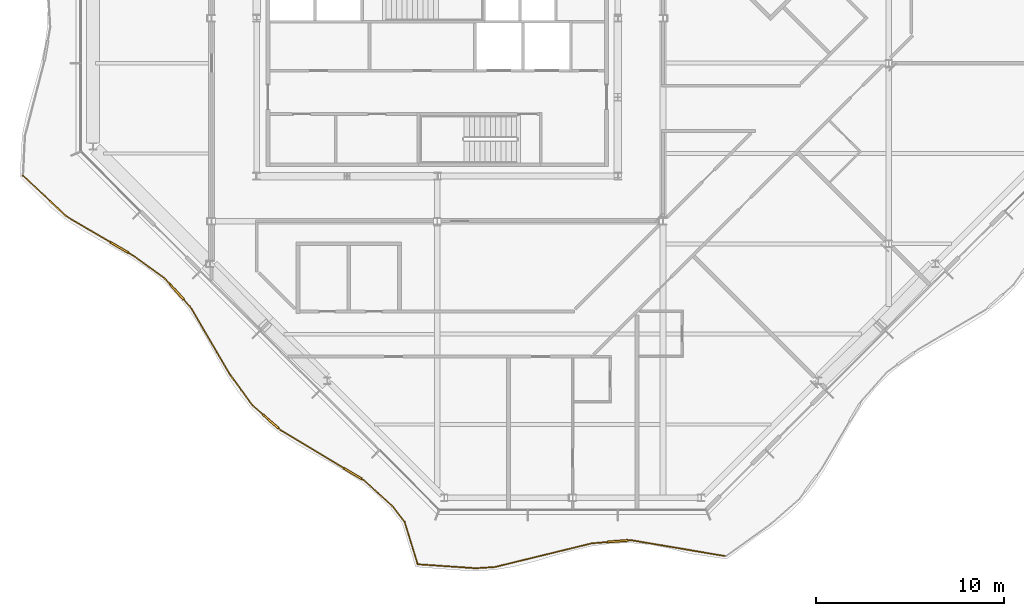
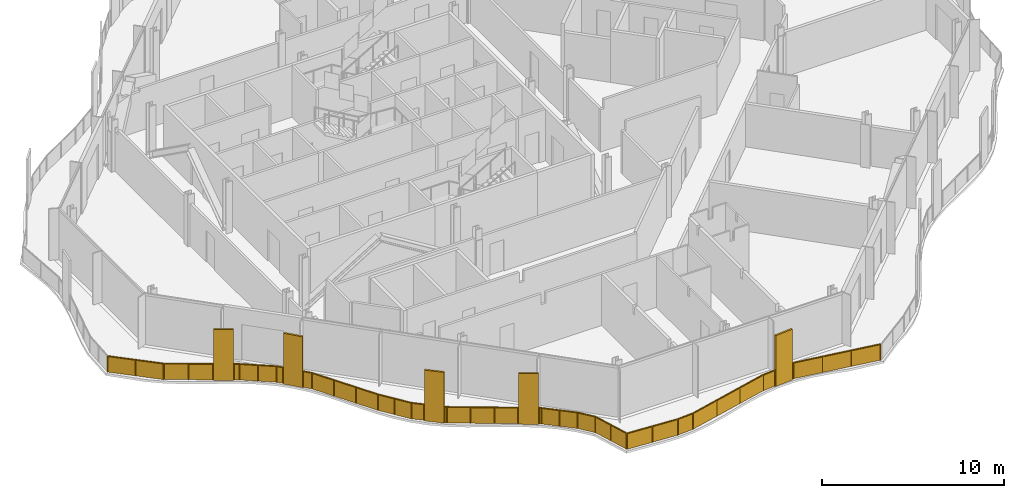
# One storey, part 12 of 16: 2 railings.
"""IFC4 building model written with IfcOpenShell, lengths in metres."""

from ifc_helpers import new_model, si_unit, direction, frame, origin, origin_2d, place, context, subcontext, project, spatial, polyline, rectangle, outline, extrude, material, type_object, element, save


model = new_model("IFC4")

# Units and contexts
model_context = context("Model", 3, precision=1e-05, world=origin(), true_north=direction((0.0, 1.0)))
body_context = subcontext(model_context, "Body", "Model", "MODEL_VIEW")
ifc_project = project(units=[si_unit("LENGTHUNIT", "METRE"), si_unit("AREAUNIT", "SQUARE_METRE"), si_unit("VOLUMEUNIT", "CUBIC_METRE"), si_unit("PLANEANGLEUNIT", "RADIAN"), si_unit("MASSUNIT", "GRAM", prefix="KILO")], contexts=[model_context])

# Site, building, storey
site_placement = place(None, origin())
site = spatial("IfcSite", under=ifc_project, at=site_placement, CompositionType="ELEMENT")
building_placement = place(site_placement, origin())
building = spatial("IfcBuilding", under=site, at=building_placement, Name="Cairn Pilgrim Tower", CompositionType="ELEMENT")
storey_placement = place(building_placement, frame((0.0, 0.0, 285.0)))
storey = spatial("IfcBuildingStorey", under=building, at=storey_placement, Name="L73", CompositionType="ELEMENT", Elevation=285.0)

# Railings
ifc_material = material(Name="Bronze anodised aluminium rail, posts and fin screens with laminated glass infill", Category="aluminium")
railing_type = type_object("IfcRailingType", Name="BALCONY GUARD WITH FIN SCREENS", PredefinedType="GUARDRAIL", material=ifc_material)
railing_1_placement = place(storey_placement, frame((6.1611328125, -26.6376953125, 0.0)))
element("IfcRailing", 1, at=railing_1_placement, inside=storey, type_object=railing_type, Name="Balcony guard BGF-1 with fin screens", PredefinedType="GUARDRAIL", context=body_context, shape_type="SweptSolid", body=[
    extrude(rectangle(XDim=0.050048828125, YDim=0.050048828125, at=origin_2d()), frame((0.0, 0.0, 1.0751953125), z_axis=(0.997671299562, -0.06820541056, 0.0), x_axis=(0.06820541056, 0.997671299562, 0.0)), (0.0, 0.0, 1.0), 3.103515625),
    extrude(rectangle(XDim=0.050048828125, YDim=0.050048828125, at=origin_2d()), frame((3.09619140625, -0.211669921875, 1.0751953125), z_axis=(0.997890012995, 0.0649270511, 0.0), x_axis=(-0.0649270511, 0.997890012995, 0.0)), (0.0, 0.0, 1.0), 1.0078125),
    extrude(rectangle(XDim=0.050048828125, YDim=0.050048828125, at=origin_2d()), frame((4.101806640625, -0.146240234375, 1.0751953125), z_axis=(0.971335139543, 0.237714212213, 0.0), x_axis=(-0.237714212213, 0.971335139543, 0.0)), (0.0, 0.0, 1.0), 5.293212890625),
    extrude(rectangle(XDim=1.10009765625, YDim=0.110107421875, at=origin_2d()), frame((10.63330078125, 1.2265625, 0.0), z_axis=(0.0, 0.0, 1.0), x_axis=(0.996628054453, 0.082051941333, 0.0)), (0.0, 0.0, 1.0), 3.39990234375),
    extrude(rectangle(XDim=0.050048828125, YDim=0.050048828125, at=origin_2d()), frame((9.243408203125, 1.112060546875, 1.0751953125), z_axis=(0.996628054453, 0.082051941333, 0.0), x_axis=(-0.082051941333, 0.996628054453, 0.0)), (0.0, 0.0, 1.0), 0.8447265625),
    extrude(rectangle(XDim=0.050048828125, YDim=0.050048828125, at=origin_2d()), frame((11.181640625, 1.271728515625, 1.0751953125), z_axis=(0.996628054453, 0.082051941333, 0.0), x_axis=(-0.082051941333, 0.996628054453, 0.0)), (0.0, 0.0, 1.0), 0.14990234375),
    extrude(rectangle(XDim=0.050048828125, YDim=0.050048828125, at=origin_2d()), frame((11.3310546875, 1.283935546875, 1.0751953125), z_axis=(0.985971121208, -0.166915991277, 0.0), x_axis=(0.166915991277, 0.985971121208, 0.0)), (0.0, 0.0, 1.0), 5.063720703125),
    extrude(rectangle(XDim=0.050048828125, YDim=0.050048828125, at=origin_2d()), origin(), (0.0, 0.0, 1.0), 1.050048828125),
    extrude(rectangle(XDim=0.050048828125, YDim=0.050048828125, at=origin_2d()), frame((1.548095703125, -0.10595703125, 0.0)), (0.0, 0.0, 1.0), 1.050048828125),
    extrude(rectangle(XDim=0.050048828125, YDim=0.050048828125, at=origin_2d()), frame((3.09619140625, -0.211669921875, 0.0)), (0.0, 0.0, 1.0), 1.050048828125),
    extrude(rectangle(XDim=0.050048828125, YDim=0.050048828125, at=origin_2d()), frame((4.101806640625, -0.146240234375, 0.0)), (0.0, 0.0, 1.0), 1.050048828125),
    extrude(rectangle(XDim=0.050048828125, YDim=0.050048828125, at=origin_2d()), frame((5.815673828125, 0.273193359375, 0.0)), (0.0, 0.0, 1.0), 1.050048828125),
    extrude(rectangle(XDim=0.050048828125, YDim=0.050048828125, at=origin_2d()), frame((7.529541015625, 0.692626953125, 0.0)), (0.0, 0.0, 1.0), 1.050048828125),
    extrude(rectangle(XDim=0.050048828125, YDim=0.050048828125, at=origin_2d()), frame((9.243408203125, 1.112060546875, 0.0)), (0.0, 0.0, 1.0), 1.050048828125),
    extrude(rectangle(XDim=0.050048828125, YDim=0.050048828125, at=origin_2d()), frame((10.060302734375, 1.17919921875, 0.0)), (0.0, 0.0, 1.0), 1.050048828125),
    extrude(rectangle(XDim=0.050048828125, YDim=0.050048828125, at=origin_2d()), frame((11.20654296875, 1.273681640625, 0.0)), (0.0, 0.0, 1.0), 1.050048828125),
    extrude(rectangle(XDim=0.050048828125, YDim=0.050048828125, at=origin_2d()), frame((11.3310546875, 1.283935546875, 0.0)), (0.0, 0.0, 1.0), 1.050048828125),
    extrude(rectangle(XDim=0.050048828125, YDim=0.050048828125, at=origin_2d()), frame((12.995361328125, 1.002197265625, 0.0)), (0.0, 0.0, 1.0), 1.050048828125),
    extrude(rectangle(XDim=0.050048828125, YDim=0.050048828125, at=origin_2d()), frame((14.659423828125, 0.720458984375, 0.0)), (0.0, 0.0, 1.0), 1.050048828125),
    extrude(rectangle(XDim=0.050048828125, YDim=0.050048828125, at=origin_2d()), frame((16.32373046875, 0.438720703125, 0.0)), (0.0, 0.0, 1.0), 1.050048828125),
    extrude(outline(polyline([(0.02490234375, 0.0), (1.526611328125, 0.0), (1.526611328125, 1.050048828125), (0.02490234375, 1.050048828125), (0.02490234375, 0.0)])), frame((0.00048828125, 0.005859375, 0.0), z_axis=(-0.06820541056, -0.997671299562, 0.0), x_axis=(0.997671299562, -0.06820541056, 0.0)), (0.0, 0.0, 1.0), 0.011962890625),
    extrude(outline(polyline([(0.02490234375, 0.0), (1.526611328125, 0.0), (1.526611328125, 1.050048828125), (0.02490234375, 1.050048828125), (0.02490234375, 0.0)])), frame((1.548583984375, -0.099853515625, 0.0), z_axis=(-0.06820541056, -0.997671299562, 0.0), x_axis=(0.997671299562, -0.06820541056, 0.0)), (0.0, 0.0, 1.0), 0.011962890625),
    extrude(outline(polyline([(0.02490234375, 0.0), (0.982666015625, 0.0), (0.982666015625, 1.050048828125), (0.02490234375, 1.050048828125), (0.02490234375, 0.0)])), frame((3.095703125, -0.205810546875, 0.0), z_axis=(0.0649270511, -0.997890012995, 0.0), x_axis=(0.997890012995, 0.0649270511, 0.0)), (0.0, 0.0, 1.0), 0.011962890625),
    extrude(outline(polyline([(0.02490234375, 0.0), (1.739501953125, 0.0), (1.739501953125, 1.050048828125), (0.02490234375, 1.050048828125), (0.02490234375, 0.0)])), frame((4.100341796875, -0.140380859375, 0.0), z_axis=(0.237714212213, -0.971335139543, 0.0), x_axis=(0.971335139543, 0.237714212213, 0.0)), (0.0, 0.0, 1.0), 0.011962890625),
    extrude(outline(polyline([(0.02490234375, 0.0), (1.739501953125, 0.0), (1.739501953125, 1.050048828125), (0.02490234375, 1.050048828125), (0.02490234375, 0.0)])), frame((5.814208984375, 0.279052734375, 0.0), z_axis=(0.237714212213, -0.971335139543, 0.0), x_axis=(0.971335139543, 0.237714212213, 0.0)), (0.0, 0.0, 1.0), 0.011962890625),
    extrude(outline(polyline([(0.02490234375, 0.0), (1.739501953125, 0.0), (1.739501953125, 1.050048828125), (0.02490234375, 1.050048828125), (0.02490234375, 0.0)])), frame((7.528076171875, 0.698486328125, 0.0), z_axis=(0.237714212213, -0.971335139543, 0.0), x_axis=(0.971335139543, 0.237714212213, 0.0)), (0.0, 0.0, 1.0), 0.011962890625),
    extrude(outline(polyline([(0.02490234375, 0.0), (0.794677734375, 0.0), (0.794677734375, 1.050048828125), (0.02490234375, 1.050048828125), (0.02490234375, 0.0)])), frame((9.242919921875, 1.117919921875, 0.0), z_axis=(0.082051941333, -0.996628054453, 0.0), x_axis=(0.996628054453, 0.082051941333, 0.0)), (0.0, 0.0, 1.0), 0.011962890625),
    extrude(outline(polyline([(0.02490234375, 0.0), (0.099853515625, 0.0), (0.099853515625, 1.050048828125), (0.02490234375, 1.050048828125), (0.02490234375, 0.0)])), frame((11.2060546875, 1.279541015625, 0.0), z_axis=(0.082051941333, -0.996628054453, 0.0), x_axis=(0.996628054453, 0.082051941333, 0.0)), (0.0, 0.0, 1.0), 0.011962890625),
    extrude(outline(polyline([(0.02490234375, 0.0), (1.662841796875, 0.0), (1.662841796875, 1.050048828125), (0.02490234375, 1.050048828125), (0.02490234375, 0.0)])), frame((11.33203125, 1.289794921875, 0.0), z_axis=(-0.166915991277, -0.985971121208, 0.0), x_axis=(0.985971121208, -0.166915991277, 0.0)), (0.0, 0.0, 1.0), 0.011962890625),
    extrude(outline(polyline([(0.02490234375, 0.0), (1.662841796875, 0.0), (1.662841796875, 1.050048828125), (0.02490234375, 1.050048828125), (0.02490234375, 0.0)])), frame((12.996337890625, 1.008056640625, 0.0), z_axis=(-0.166915991277, -0.985971121208, 0.0), x_axis=(0.985971121208, -0.166915991277, 0.0)), (0.0, 0.0, 1.0), 0.011962890625),
    extrude(outline(polyline([(0.02490234375, 0.0), (1.662841796875, 0.0), (1.662841796875, 1.050048828125), (0.02490234375, 1.050048828125), (0.02490234375, 0.0)])), frame((14.660400390625, 0.726318359375, 0.0), z_axis=(-0.166915991277, -0.985971121208, 0.0), x_axis=(0.985971121208, -0.166915991277, 0.0)), (0.0, 0.0, 1.0), 0.011962890625),
])
railing_2_placement = place(storey_placement, frame((-14.829833984375, -5.9736328125, 0.0)))
element("IfcRailing", 2, at=railing_2_placement, inside=storey, type_object=railing_type, Name="Balcony guard BGF-8 with fin screens", PredefinedType="GUARDRAIL", context=body_context, shape_type="SweptSolid", body=[
    extrude(rectangle(XDim=0.050048828125, YDim=0.050048828125, at=origin_2d()), frame((0.0, 0.0, 1.0751953125), z_axis=(0.729513129731, -0.683966807345, 0.0), x_axis=(0.683966807345, 0.729513129731, 0.0)), (0.0, 0.0, 1.0), 3.16259765625),
    extrude(rectangle(XDim=1.10009765625, YDim=0.110107421875, at=origin_2d()), frame((5.125, -3.8203125, 0.0), z_axis=(0.0, 0.0, 1.0), x_axis=(0.861990216994, -0.506924911408, 0.0)), (0.0, 0.0, 1.0), 3.39990234375),
    extrude(rectangle(XDim=0.050048828125, YDim=0.050048828125, at=origin_2d()), frame((2.30712890625, -2.1630859375, 1.0751953125), z_axis=(0.861990216994, -0.506924911408, 0.0), x_axis=(0.506924911408, 0.861990216994, 0.0)), (0.0, 0.0, 1.0), 2.71923828125),
    extrude(rectangle(XDim=0.050048828125, YDim=0.050048828125, at=origin_2d()), frame((5.59912109375, -4.09912109375, 1.0751953125), z_axis=(0.861990216994, -0.506924911408, 0.0), x_axis=(0.506924911408, 0.861990216994, 0.0)), (0.0, 0.0, 1.0), 0.3271484375),
    extrude(rectangle(XDim=0.050048828125, YDim=0.050048828125, at=origin_2d()), frame((5.881103515625, -4.264892578125, 1.0751953125), z_axis=(0.809621706256, -0.586952036166, 0.0), x_axis=(0.586952036166, 0.809621706256, 0.0)), (0.0, 0.0, 1.0), 2.060302734375),
    extrude(rectangle(XDim=1.10009765625, YDim=0.110107421875, at=origin_2d()), frame((8.184326171875, -6.18603515625, 0.0), z_axis=(0.0, 0.0, 1.0), x_axis=(0.665740598055, -0.74618325906, 0.0)), (0.0, 0.0, 1.0), 3.39990234375),
    extrude(rectangle(XDim=0.050048828125, YDim=0.050048828125, at=origin_2d()), frame((7.549072265625, -5.47412109375, 1.0751953125), z_axis=(0.665740598055, -0.74618325906, 0.0), x_axis=(0.74618325906, 0.665740598055, 0.0)), (0.0, 0.0, 1.0), 0.404052734375),
    extrude(rectangle(XDim=0.050048828125, YDim=0.050048828125, at=origin_2d()), frame((8.550537109375, -6.596435546875, 1.0751953125), z_axis=(0.665740598055, -0.74618325906, 0.0), x_axis=(0.74618325906, 0.665740598055, 0.0)), (0.0, 0.0, 1.0), 0.54150390625),
    extrude(rectangle(XDim=0.050048828125, YDim=0.050048828125, at=origin_2d()), frame((8.910888671875, -7.00048828125, 1.0751953125), z_axis=(0.506220476395, -0.862404098598, 0.0), x_axis=(0.862404098598, 0.506220476395, 0.0)), (0.0, 0.0, 1.0), 4.1640625),
    extrude(rectangle(XDim=0.050048828125, YDim=0.050048828125, at=origin_2d()), frame((11.018798828125, -10.591552734375, 1.0751953125), z_axis=(0.59016871645, -0.80727993046, 0.0), x_axis=(0.80727993046, 0.59016871645, 0.0)), (0.0, 0.0, 1.0), 2.01171875),
    extrude(rectangle(XDim=1.10009765625, YDim=0.110107421875, at=origin_2d()), frame((13.16943359375, -13.06640625, 0.0), z_axis=(0.0, 0.0, 1.0), x_axis=(0.749529141461, -0.661971348398, 0.0)), (0.0, 0.0, 1.0), 3.39990234375),
    extrude(rectangle(XDim=0.050048828125, YDim=0.050048828125, at=origin_2d()), frame((12.2060546875, -12.215576171875, 1.0751953125), z_axis=(0.749529141461, -0.661971348398, 0.0), x_axis=(0.661971348398, 0.749529141461, 0.0)), (0.0, 0.0, 1.0), 0.735107421875),
    extrude(rectangle(XDim=0.050048828125, YDim=0.050048828125, at=origin_2d()), frame((13.58154296875, -13.430419921875, 1.0751953125), z_axis=(0.749529141461, -0.661971348398, 0.0), x_axis=(0.661971348398, 0.749529141461, 0.0)), (0.0, 0.0, 1.0), 0.150146484375),
    extrude(rectangle(XDim=1.10009765625, YDim=0.110107421875, at=origin_2d()), frame((17.53564453125, -15.84033203125, 0.0), z_axis=(0.0, 0.0, 1.0), x_axis=(0.856935475085, -0.515423700988, 0.0)), (0.0, 0.0, 1.0), 3.39990234375),
    extrude(rectangle(XDim=0.050048828125, YDim=0.050048828125, at=origin_2d()), frame((13.694091796875, -13.52978515625, 1.0751953125), z_axis=(0.856935475085, -0.515423700988, 0.0), x_axis=(0.515423700988, 0.856935475085, 0.0)), (0.0, 0.0, 1.0), 3.932861328125),
    extrude(rectangle(XDim=0.050048828125, YDim=0.050048828125, at=origin_2d()), frame((18.0068359375, -16.123779296875, 1.0751953125), z_axis=(0.856935475085, -0.515423700988, 0.0), x_axis=(0.515423700988, 0.856935475085, 0.0)), (0.0, 0.0, 1.0), 0.150146484375),
    extrude(rectangle(XDim=0.050048828125, YDim=0.050048828125, at=origin_2d()), frame((18.135498046875, -16.201171875, 1.0751953125), z_axis=(0.738552824468, -0.674195613654, 0.0), x_axis=(0.674195613654, 0.738552824468, 0.0)), (0.0, 0.0, 1.0), 2.041015625),
    extrude(rectangle(XDim=0.050048828125, YDim=0.050048828125, at=origin_2d()), frame((19.642822265625, -17.5771484375, 1.0751953125), z_axis=(0.615608058482, -0.788052484503, 0.0), x_axis=(0.788052484503, 0.615608058482, 0.0)), (0.0, 0.0, 1.0), 1.05322265625),
    extrude(rectangle(XDim=0.050048828125, YDim=0.050048828125, at=origin_2d()), frame((20.291259765625, -18.4072265625, 1.0751953125), z_axis=(0.296119083603, -0.955151029066, 0.0), x_axis=(0.955151029066, 0.296119083603, 0.0)), (0.0, 0.0, 1.0), 2.302734375),
    extrude(rectangle(XDim=0.050048828125, YDim=0.050048828125, at=origin_2d()), origin(), (0.0, 0.0, 1.0), 1.050048828125),
    extrude(rectangle(XDim=0.050048828125, YDim=0.050048828125, at=origin_2d()), frame((1.153564453125, -1.08154296875, 0.0)), (0.0, 0.0, 1.0), 1.050048828125),
    extrude(rectangle(XDim=0.050048828125, YDim=0.050048828125, at=origin_2d()), frame((2.30712890625, -2.1630859375, 0.0)), (0.0, 0.0, 1.0), 1.050048828125),
    extrude(rectangle(XDim=0.050048828125, YDim=0.050048828125, at=origin_2d()), frame((3.46826171875, -2.845947265625, 0.0)), (0.0, 0.0, 1.0), 1.050048828125),
    extrude(rectangle(XDim=0.050048828125, YDim=0.050048828125, at=origin_2d()), frame((4.62939453125, -3.52880859375, 0.0)), (0.0, 0.0, 1.0), 1.050048828125),
    extrude(rectangle(XDim=0.050048828125, YDim=0.050048828125, at=origin_2d()), frame((5.620849609375, -4.11181640625, 0.0)), (0.0, 0.0, 1.0), 1.050048828125),
    extrude(rectangle(XDim=0.050048828125, YDim=0.050048828125, at=origin_2d()), frame((5.881103515625, -4.264892578125, 0.0)), (0.0, 0.0, 1.0), 1.050048828125),
    extrude(rectangle(XDim=0.050048828125, YDim=0.050048828125, at=origin_2d()), frame((6.715087890625, -4.86962890625, 0.0)), (0.0, 0.0, 1.0), 1.050048828125),
    extrude(rectangle(XDim=0.050048828125, YDim=0.050048828125, at=origin_2d()), frame((7.549072265625, -5.47412109375, 0.0)), (0.0, 0.0, 1.0), 1.050048828125),
    extrude(rectangle(XDim=0.050048828125, YDim=0.050048828125, at=origin_2d()), frame((7.801513671875, -5.757080078125, 0.0)), (0.0, 0.0, 1.0), 1.050048828125),
    extrude(rectangle(XDim=0.050048828125, YDim=0.050048828125, at=origin_2d()), frame((8.567138671875, -6.615234375, 0.0)), (0.0, 0.0, 1.0), 1.050048828125),
    extrude(rectangle(XDim=0.050048828125, YDim=0.050048828125, at=origin_2d()), frame((8.910888671875, -7.00048828125, 0.0)), (0.0, 0.0, 1.0), 1.050048828125),
    extrude(rectangle(XDim=0.050048828125, YDim=0.050048828125, at=origin_2d()), frame((9.613525390625, -8.197509765625, 0.0)), (0.0, 0.0, 1.0), 1.050048828125),
    extrude(rectangle(XDim=0.050048828125, YDim=0.050048828125, at=origin_2d()), frame((10.316162109375, -9.39453125, 0.0)), (0.0, 0.0, 1.0), 1.050048828125),
    extrude(rectangle(XDim=0.050048828125, YDim=0.050048828125, at=origin_2d()), frame((11.018798828125, -10.591552734375, 0.0)), (0.0, 0.0, 1.0), 1.050048828125),
    extrude(rectangle(XDim=0.050048828125, YDim=0.050048828125, at=origin_2d()), frame((11.6123046875, -11.403564453125, 0.0)), (0.0, 0.0, 1.0), 1.050048828125),
    extrude(rectangle(XDim=0.050048828125, YDim=0.050048828125, at=origin_2d()), frame((12.2060546875, -12.215576171875, 0.0)), (0.0, 0.0, 1.0), 1.050048828125),
    extrude(rectangle(XDim=0.050048828125, YDim=0.050048828125, at=origin_2d()), frame((12.73828125, -12.685546875, 0.0)), (0.0, 0.0, 1.0), 1.050048828125),
    extrude(rectangle(XDim=0.050048828125, YDim=0.050048828125, at=origin_2d()), frame((13.600341796875, -13.447021484375, 0.0)), (0.0, 0.0, 1.0), 1.050048828125),
    extrude(rectangle(XDim=0.050048828125, YDim=0.050048828125, at=origin_2d()), frame((13.694091796875, -13.52978515625, 0.0)), (0.0, 0.0, 1.0), 1.050048828125),
    extrude(rectangle(XDim=0.050048828125, YDim=0.050048828125, at=origin_2d()), frame((14.810302734375, -14.201171875, 0.0)), (0.0, 0.0, 1.0), 1.050048828125),
    extrude(rectangle(XDim=0.050048828125, YDim=0.050048828125, at=origin_2d()), frame((15.926513671875, -14.87255859375, 0.0)), (0.0, 0.0, 1.0), 1.050048828125),
    extrude(rectangle(XDim=0.050048828125, YDim=0.050048828125, at=origin_2d()), frame((17.042724609375, -15.5439453125, 0.0)), (0.0, 0.0, 1.0), 1.050048828125),
    extrude(rectangle(XDim=0.050048828125, YDim=0.050048828125, at=origin_2d()), frame((18.0283203125, -16.13671875, 0.0)), (0.0, 0.0, 1.0), 1.050048828125),
    extrude(rectangle(XDim=0.050048828125, YDim=0.050048828125, at=origin_2d()), frame((18.135498046875, -16.201171875, 0.0)), (0.0, 0.0, 1.0), 1.050048828125),
    extrude(rectangle(XDim=0.050048828125, YDim=0.050048828125, at=origin_2d()), frame((18.88916015625, -16.88916015625, 0.0)), (0.0, 0.0, 1.0), 1.050048828125),
    extrude(rectangle(XDim=0.050048828125, YDim=0.050048828125, at=origin_2d()), frame((19.642822265625, -17.5771484375, 0.0)), (0.0, 0.0, 1.0), 1.050048828125),
    extrude(rectangle(XDim=0.050048828125, YDim=0.050048828125, at=origin_2d()), frame((20.291259765625, -18.4072265625, 0.0)), (0.0, 0.0, 1.0), 1.050048828125),
    extrude(rectangle(XDim=0.050048828125, YDim=0.050048828125, at=origin_2d()), frame((20.63232421875, -19.5068359375, 0.0)), (0.0, 0.0, 1.0), 1.050048828125),
    extrude(rectangle(XDim=0.050048828125, YDim=0.050048828125, at=origin_2d()), frame((20.97314453125, -20.606689453125, 0.0)), (0.0, 0.0, 1.0), 1.050048828125),
    extrude(outline(polyline([(0.02490234375, 0.0), (1.55615234375, 0.0), (1.55615234375, 1.050048828125), (0.02490234375, 1.050048828125), (0.02490234375, 0.0)])), frame((0.004150390625, 0.00439453125, 0.0), z_axis=(-0.683966807345, -0.729513129731, 0.0), x_axis=(0.729513129731, -0.683966807345, 0.0)), (0.0, 0.0, 1.0), 0.011962890625),
    extrude(outline(polyline([(0.02490234375, 0.0), (1.55615234375, 0.0), (1.55615234375, 1.050048828125), (0.02490234375, 1.050048828125), (0.02490234375, 0.0)])), frame((1.15771484375, -1.0771484375, 0.0), z_axis=(-0.683966807345, -0.729513129731, 0.0), x_axis=(0.729513129731, -0.683966807345, 0.0)), (0.0, 0.0, 1.0), 0.011962890625),
    extrude(outline(polyline([(0.02490234375, 0.0), (1.322021484375, 0.0), (1.322021484375, 1.050048828125), (0.02490234375, 1.050048828125), (0.02490234375, 0.0)])), frame((2.31005859375, -2.157958984375, 0.0), z_axis=(-0.506924911408, -0.861990216994, 0.0), x_axis=(0.861990216994, -0.506924911408, 0.0)), (0.0, 0.0, 1.0), 0.011962890625),
    extrude(outline(polyline([(0.02490234375, 0.0), (1.322021484375, 0.0), (1.322021484375, 1.050048828125), (0.02490234375, 1.050048828125), (0.02490234375, 0.0)])), frame((3.47119140625, -2.8408203125, 0.0), z_axis=(-0.506924911408, -0.861990216994, 0.0), x_axis=(0.861990216994, -0.506924911408, 0.0)), (0.0, 0.0, 1.0), 0.011962890625),
    extrude(outline(polyline([(0.02490234375, 0.0), (0.277099609375, 0.0), (0.277099609375, 1.050048828125), (0.02490234375, 1.050048828125), (0.02490234375, 0.0)])), frame((5.623779296875, -4.106689453125, 0.0), z_axis=(-0.506924911408, -0.861990216994, 0.0), x_axis=(0.861990216994, -0.506924911408, 0.0)), (0.0, 0.0, 1.0), 0.011962890625),
    extrude(outline(polyline([(0.02490234375, 0.0), (1.005126953125, 0.0), (1.005126953125, 1.050048828125), (0.02490234375, 1.050048828125), (0.02490234375, 0.0)])), frame((5.884521484375, -4.260009765625, 0.0), z_axis=(-0.586952036166, -0.809621706256, 0.0), x_axis=(0.809621706256, -0.586952036166, 0.0)), (0.0, 0.0, 1.0), 0.011962890625),
    extrude(outline(polyline([(0.02490234375, 0.0), (1.005126953125, 0.0), (1.005126953125, 1.050048828125), (0.02490234375, 1.050048828125), (0.02490234375, 0.0)])), frame((6.718505859375, -4.86474609375, 0.0), z_axis=(-0.586952036166, -0.809621706256, 0.0), x_axis=(0.809621706256, -0.586952036166, 0.0)), (0.0, 0.0, 1.0), 0.011962890625),
    extrude(outline(polyline([(0.02490234375, 0.0), (0.35400390625, 0.0), (0.35400390625, 1.050048828125), (0.02490234375, 1.050048828125), (0.02490234375, 0.0)])), frame((7.553466796875, -5.47021484375, 0.0), z_axis=(-0.74618325906, -0.665740598055, 0.0), x_axis=(0.665740598055, -0.74618325906, 0.0)), (0.0, 0.0, 1.0), 0.011962890625),
    extrude(outline(polyline([(0.02490234375, 0.0), (0.491455078125, 0.0), (0.491455078125, 1.050048828125), (0.02490234375, 1.050048828125), (0.02490234375, 0.0)])), frame((8.571533203125, -6.611083984375, 0.0), z_axis=(-0.74618325906, -0.665740598055, 0.0), x_axis=(0.665740598055, -0.74618325906, 0.0)), (0.0, 0.0, 1.0), 0.011962890625),
    extrude(outline(polyline([(0.02490234375, 0.0), (1.363037109375, 0.0), (1.363037109375, 1.050048828125), (0.02490234375, 1.050048828125), (0.02490234375, 0.0)])), frame((8.916015625, -6.99755859375, 0.0), z_axis=(-0.862404098598, -0.506220476395, 0.0), x_axis=(0.506220476395, -0.862404098598, 0.0)), (0.0, 0.0, 1.0), 0.011962890625),
    extrude(outline(polyline([(0.02490234375, 0.0), (1.363037109375, 0.0), (1.363037109375, 1.050048828125), (0.02490234375, 1.050048828125), (0.02490234375, 0.0)])), frame((9.61865234375, -8.194580078125, 0.0), z_axis=(-0.862404098598, -0.506220476395, 0.0), x_axis=(0.506220476395, -0.862404098598, 0.0)), (0.0, 0.0, 1.0), 0.011962890625),
    extrude(outline(polyline([(0.02490234375, 0.0), (1.363037109375, 0.0), (1.363037109375, 1.050048828125), (0.02490234375, 1.050048828125), (0.02490234375, 0.0)])), frame((10.3212890625, -9.3916015625, 0.0), z_axis=(-0.862404098598, -0.506220476395, 0.0), x_axis=(0.506220476395, -0.862404098598, 0.0)), (0.0, 0.0, 1.0), 0.011962890625),
    extrude(outline(polyline([(0.02490234375, 0.0), (0.98095703125, 0.0), (0.98095703125, 1.050048828125), (0.02490234375, 1.050048828125), (0.02490234375, 0.0)])), frame((11.023681640625, -10.588134765625, 0.0), z_axis=(-0.80727993046, -0.59016871645, 0.0), x_axis=(0.59016871645, -0.80727993046, 0.0)), (0.0, 0.0, 1.0), 0.011962890625),
    extrude(outline(polyline([(0.02490234375, 0.0), (0.98095703125, 0.0), (0.98095703125, 1.050048828125), (0.02490234375, 1.050048828125), (0.02490234375, 0.0)])), frame((11.6171875, -11.400146484375, 0.0), z_axis=(-0.80727993046, -0.59016871645, 0.0), x_axis=(0.59016871645, -0.80727993046, 0.0)), (0.0, 0.0, 1.0), 0.011962890625),
    extrude(outline(polyline([(0.02490234375, 0.0), (0.68505859375, 0.0), (0.68505859375, 1.050048828125), (0.02490234375, 1.050048828125), (0.02490234375, 0.0)])), frame((12.2099609375, -12.211181640625, 0.0), z_axis=(-0.661971348398, -0.749529141461, 0.0), x_axis=(0.749529141461, -0.661971348398, 0.0)), (0.0, 0.0, 1.0), 0.011962890625),
    extrude(outline(polyline([(0.02490234375, 0.0), (0.10009765625, 0.0), (0.10009765625, 1.050048828125), (0.02490234375, 1.050048828125), (0.02490234375, 0.0)])), frame((13.604248046875, -13.4423828125, 0.0), z_axis=(-0.661971348398, -0.749529141461, 0.0), x_axis=(0.749529141461, -0.661971348398, 0.0)), (0.0, 0.0, 1.0), 0.011962890625),
    extrude(outline(polyline([(0.02490234375, 0.0), (1.277587890625, 0.0), (1.277587890625, 1.050048828125), (0.02490234375, 1.050048828125), (0.02490234375, 0.0)])), frame((13.697265625, -13.524658203125, 0.0), z_axis=(-0.515423700988, -0.856935475085, 0.0), x_axis=(0.856935475085, -0.515423700988, 0.0)), (0.0, 0.0, 1.0), 0.011962890625),
    extrude(outline(polyline([(0.02490234375, 0.0), (1.277587890625, 0.0), (1.277587890625, 1.050048828125), (0.02490234375, 1.050048828125), (0.02490234375, 0.0)])), frame((14.8134765625, -14.196044921875, 0.0), z_axis=(-0.515423700988, -0.856935475085, 0.0), x_axis=(0.856935475085, -0.515423700988, 0.0)), (0.0, 0.0, 1.0), 0.011962890625),
    extrude(outline(polyline([(0.02490234375, 0.0), (1.277587890625, 0.0), (1.277587890625, 1.050048828125), (0.02490234375, 1.050048828125), (0.02490234375, 0.0)])), frame((15.9296875, -14.867431640625, 0.0), z_axis=(-0.515423700988, -0.856935475085, 0.0), x_axis=(0.856935475085, -0.515423700988, 0.0)), (0.0, 0.0, 1.0), 0.011962890625),
    extrude(outline(polyline([(0.02490234375, 0.0), (0.10009765625, 0.0), (0.10009765625, 1.050048828125), (0.02490234375, 1.050048828125), (0.02490234375, 0.0)])), frame((18.031494140625, -16.131591796875, 0.0), z_axis=(-0.515423700988, -0.856935475085, 0.0), x_axis=(0.856935475085, -0.515423700988, 0.0)), (0.0, 0.0, 1.0), 0.011962890625),
    extrude(outline(polyline([(0.02490234375, 0.0), (0.995361328125, 0.0), (0.995361328125, 1.050048828125), (0.02490234375, 1.050048828125), (0.02490234375, 0.0)])), frame((18.1396484375, -16.19677734375, 0.0), z_axis=(-0.674195613654, -0.738552824468, 0.0), x_axis=(0.738552824468, -0.674195613654, 0.0)), (0.0, 0.0, 1.0), 0.011962890625),
    extrude(outline(polyline([(0.02490234375, 0.0), (0.995361328125, 0.0), (0.995361328125, 1.050048828125), (0.02490234375, 1.050048828125), (0.02490234375, 0.0)])), frame((18.893310546875, -16.884765625, 0.0), z_axis=(-0.674195613654, -0.738552824468, 0.0), x_axis=(0.738552824468, -0.674195613654, 0.0)), (0.0, 0.0, 1.0), 0.011962890625),
    extrude(outline(polyline([(0.02490234375, 0.0), (1.0283203125, 0.0), (1.0283203125, 1.050048828125), (0.02490234375, 1.050048828125), (0.02490234375, 0.0)])), frame((19.6474609375, -17.573486328125, 0.0), z_axis=(-0.788052484503, -0.615608058482, 0.0), x_axis=(0.615608058482, -0.788052484503, 0.0)), (0.0, 0.0, 1.0), 0.011962890625),
    extrude(outline(polyline([(0.02490234375, 0.0), (1.12646484375, 0.0), (1.12646484375, 1.050048828125), (0.02490234375, 1.050048828125), (0.02490234375, 0.0)])), frame((20.296875, -18.405517578125, 0.0), z_axis=(-0.955151029066, -0.296119083603, 0.0), x_axis=(0.296119083603, -0.955151029066, 0.0)), (0.0, 0.0, 1.0), 0.011962890625),
    extrude(outline(polyline([(0.02490234375, 0.0), (1.12646484375, 0.0), (1.12646484375, 1.050048828125), (0.02490234375, 1.050048828125), (0.02490234375, 0.0)])), frame((20.637939453125, -19.505126953125, 0.0), z_axis=(-0.955151029066, -0.296119083603, 0.0), x_axis=(0.296119083603, -0.955151029066, 0.0)), (0.0, 0.0, 1.0), 0.011962890625),
])

save(model, "model.ifc")
